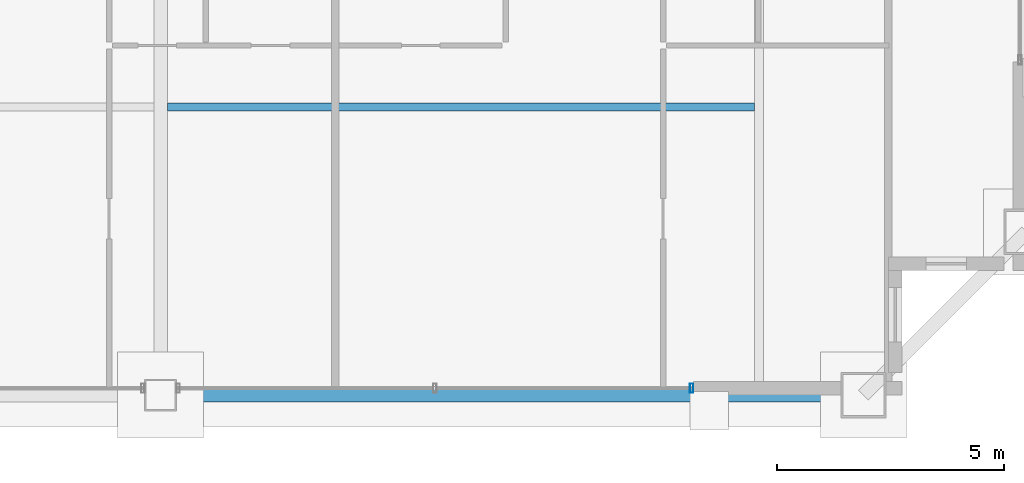
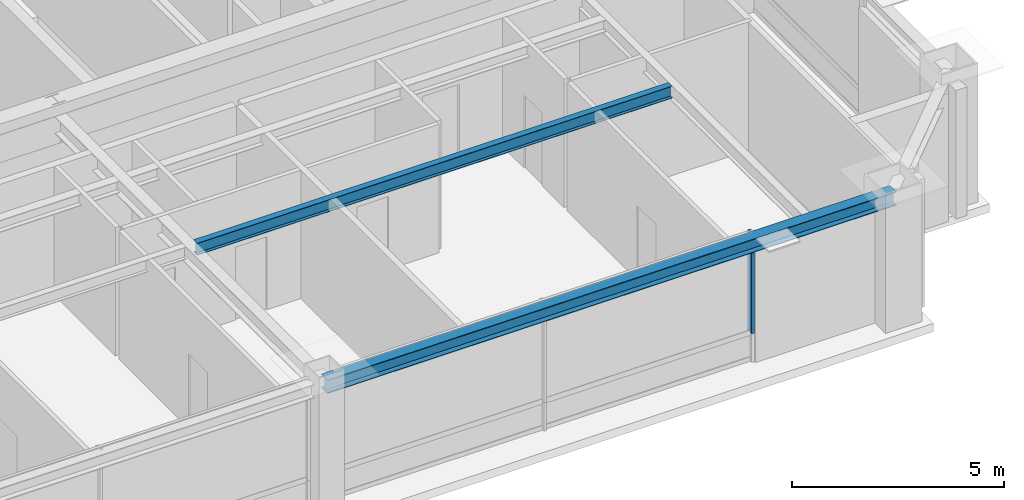
# One storey, part 9 of 34: 2 beams, 1 member, 1 element without a shape of its own.
"""IFC4 building model written with IfcOpenShell, lengths in metres."""

from ifc_helpers import new_model, si_unit, direction, frame, origin, origin_2d, place, context, subcontext, project, spatial, hollow_rectangle, i_section, extrude, source, transform, mapped, material, layer, layer_set, material_profile, profile_set, type_object, element, aggregate, save


model = new_model("IFC4")

# Units and contexts
model_context = context("Model", 3, precision=1e-05, world=origin(), true_north=direction((0.0, 1.0)))
body_context = subcontext(model_context, "Body", "Model", "MODEL_VIEW")
ifc_project = project(units=[si_unit("LENGTHUNIT", "METRE"), si_unit("AREAUNIT", "SQUARE_METRE"), si_unit("VOLUMEUNIT", "CUBIC_METRE"), si_unit("PLANEANGLEUNIT", "RADIAN"), si_unit("MASSUNIT", "GRAM", prefix="KILO"), si_unit("THERMODYNAMICTEMPERATUREUNIT", "KELVIN"), si_unit("POWERUNIT", "WATT")], contexts=[model_context])

# Site, building, storey
site_placement = place(None, origin())
site = spatial("IfcSite", under=ifc_project, at=site_placement, CompositionType="ELEMENT")
building_placement = place(site_placement, origin())
building = spatial("IfcBuilding", under=site, at=building_placement, Name="Yuzanri Waterfront Tower", CompositionType="ELEMENT")
storey_placement = place(building_placement, frame((0.0, 0.0, 347.199951171875)))
storey = spatial("IfcBuildingStorey", under=building, at=storey_placement, Name="L93", CompositionType="ELEMENT", Elevation=347.199951171875)

# Beams
ifc_material_1 = material(Name="Steel Q355B", Category="steel")
ifc_material_profile_1 = material_profile(ifc_material_1, i_section(OverallWidth=0.175048828125, OverallDepth=0.35009765625, WebThickness=0.007080078125, FlangeThickness=0.010986328125, at=origin_2d()), Name="HN 350x175x7x11")
ifc_profile_set_1 = profile_set([ifc_material_profile_1], Name="Steel Q355B")
beam_type_1 = type_object("IfcBeamType", Name="Floor Joist Q355B HN 350x175", PredefinedType="JOIST", material=ifc_profile_set_1)
shared_shape_1 = source(origin(), body_context, "Body", "SweptSolid", [
    extrude(i_section(OverallWidth=0.175048828125, OverallDepth=0.35009765625, WebThickness=0.007080078125, FlangeThickness=0.010986328125, at=origin_2d()), origin(), (0.0, 0.0, 1.0), 12.9501953125),
])
beam_1_placement = place(storey_placement, frame((37.14990234375, 13.050048828125, 3.525146484375), z_axis=(1.0, 0.0, 0.0), x_axis=(0.0, 1.0, 0.0)))
element("IfcBeam", 1, at=beam_1_placement, inside=storey, type_object=beam_type_1, Name="L93 South Bay Joist E", PredefinedType="JOIST", context=body_context, shape_type="MappedRepresentation", body=[
    mapped(shared_shape_1, transform((0.0, 0.0, 0.0), scale=1.0)),
])
ifc_material_2 = material(Name="Steel Q355B", Category="steel")
ifc_material_profile_2 = material_profile(ifc_material_2, i_section(OverallWidth=0.300048828125, OverallDepth=0.389892578125, WebThickness=0.010009765625, FlangeThickness=0.01611328125, at=origin_2d()), Name="HM 390x300x10x16")
ifc_profile_set_2 = profile_set([ifc_material_profile_2], Name="Steel Q355B")
beam_type_2 = type_object("IfcBeamType", Name="Perimeter Spandrel Q355B HM 390x300", PredefinedType="SPANDREL", material=ifc_profile_set_2)
shared_shape_2 = source(origin(), body_context, "Body", "SweptSolid", [
    extrude(i_section(OverallWidth=0.300048828125, OverallDepth=0.389892578125, WebThickness=0.010009765625, FlangeThickness=0.01611328125, at=origin_2d()), origin(), (0.0, 0.0, 1.0), 15.5),
])
beam_2_placement = place(storey_placement, frame((37.0, 6.699951171875, 3.505126953125), z_axis=(1.0, 0.0, 0.0), x_axis=(0.0, 1.0, 0.0)))
element("IfcBeam", 2, at=beam_2_placement, inside=storey, type_object=beam_type_2, Name="L93 Perimeter Spandrel S2-S3", PredefinedType="SPANDREL", context=body_context, shape_type="MappedRepresentation", body=[
    mapped(shared_shape_2, transform((0.0, 0.0, 0.0), scale=1.0)),
])

# Curtain wall, member
ifc_material_3 = material(Name="Anodized Architectural Bronze", Category="metal")
ifc_layer = layer(ifc_material_3, 0.159912109375)
ifc_layer_set = layer_set([ifc_layer], Name="Anodized Architectural Bronze")
curtain_wall_type = type_object("IfcCurtainWallType", Name="Anodized Bronze High-Rise Penthouse High-Wind Unitized Curtain Wall 6900", PredefinedType="NOTDEFINED", material=ifc_layer_set)
curtain_wall_placement = place(storey_placement, origin())
curtain_wall = element("IfcCurtainWall", 3, at=curtain_wall_placement, inside=storey, type_object=curtain_wall_type, Name="L93 Curtain Wall CW-L93-SR", PredefinedType="NOTDEFINED")
ifc_material_4 = material(Name="Anodized Architectural Bronze", Category="metal")
ifc_material_profile_3 = material_profile(ifc_material_4, hollow_rectangle(XDim=0.074951171875, YDim=0.199951171875, WallThickness=0.00390625, at=origin_2d()), Name="CWM 75x200")
ifc_profile_set_3 = profile_set([ifc_material_profile_3], Name="Anodized Architectural Bronze")
member_type = type_object("IfcMemberType", Name="Anodized Bronze Primary Curtain-Wall Mullion 75x200", PredefinedType="MULLION", material=ifc_profile_set_3)
shared_shape_3 = source(origin(), body_context, "Body", "SweptSolid", [
    extrude(hollow_rectangle(XDim=0.074951171875, YDim=0.199951171875, WallThickness=0.00390625, at=origin_2d()), origin(), (0.0, 0.0, 1.0), 2.8779296875),
])
member_placement = place(storey_placement, frame((48.7099609375, 6.85009765625, 0.822021484375), z_axis=(0.0, 0.0, 1.0), x_axis=(1.0, 0.0, 0.0)))
member = element("IfcMember", 4, at=member_placement, type_object=member_type, Name="CW-L93-SR Upper Mullion 02", PredefinedType="MULLION", context=body_context, shape_type="MappedRepresentation", body=[
    mapped(shared_shape_3, transform((0.0, 0.0, 0.0), scale=1.0)),
])
aggregate(curtain_wall, [member])

save(model, "model.ifc")
